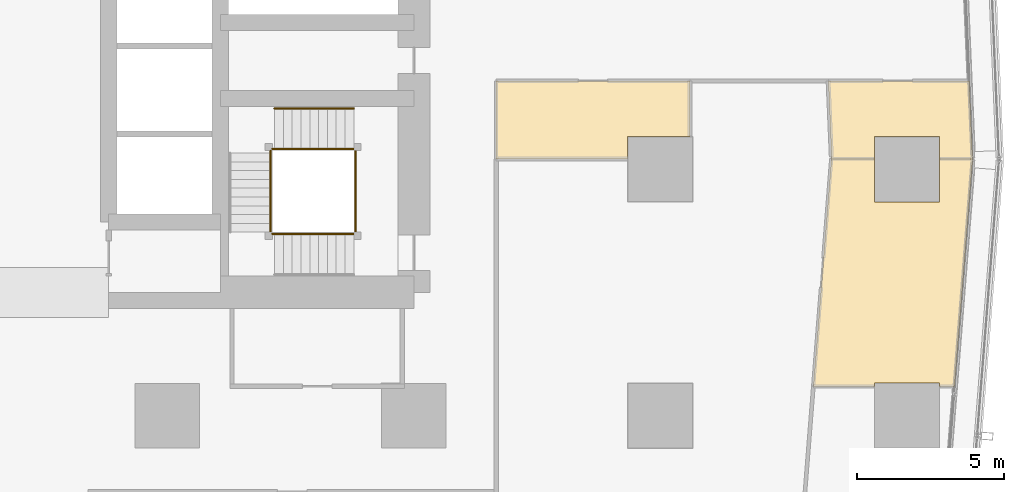
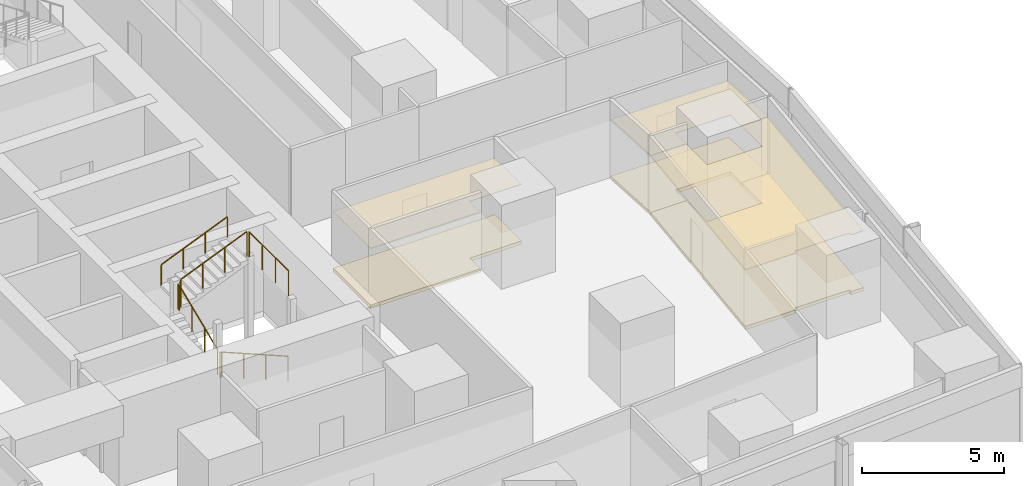
# One storey, part 37 of 42: 8 railings, 6 coverings.
"""IFC4 building model written with IfcOpenShell, lengths in metres."""

from ifc_helpers import new_model, si_unit, direction, frame, origin, origin_2d, place, context, subcontext, project, spatial, polyline, circle, outline, extrude, material, layer, layer_set, type_object, element, save


model = new_model("IFC4")

# Units and contexts
model_context = context("Model", 3, precision=1e-05, world=origin(), true_north=direction((0.0, 1.0)))
body_context = subcontext(model_context, "Body", "Model", "MODEL_VIEW")
ifc_project = project(units=[si_unit("LENGTHUNIT", "METRE"), si_unit("AREAUNIT", "SQUARE_METRE"), si_unit("VOLUMEUNIT", "CUBIC_METRE"), si_unit("PLANEANGLEUNIT", "RADIAN"), si_unit("MASSUNIT", "GRAM", prefix="KILO")], contexts=[model_context])

# Site, building, storey
site_placement = place(None, origin())
site = spatial("IfcSite", under=ifc_project, at=site_placement, CompositionType="ELEMENT")
building_placement = place(site_placement, origin())
building = spatial("IfcBuilding", under=site, at=building_placement, Name="Rekha Terrace Tower", CompositionType="ELEMENT")
storey_placement = place(building_placement, frame((0.0, 0.0, 55.39990234375)))
storey = spatial("IfcBuildingStorey", under=building, at=storey_placement, Name="L13", CompositionType="ELEMENT", Elevation=55.39990234375)

# Coverings
ifc_material_1 = material(Name="Mineral fibre tile in exposed grid", Category="finish")
ifc_layer_1 = layer(ifc_material_1, 0.02001953125)
ifc_layer_set_1 = layer_set([ifc_layer_1], Name="Mineral fibre tile in exposed grid")
covering_type_1 = type_object("IfcCoveringType", Name="CL1 600x1200 office grid ceiling", PredefinedType="CEILING", material=ifc_layer_set_1)
covering_1_placement = place(storey_placement, frame((0.0, 0.0, 2.580078125)))
element("IfcCovering", 1, at=covering_1_placement, inside=storey, type_object=covering_type_1, Name="Ceiling L13-04", PredefinedType="CEILING", context=body_context, shape_type="SweptSolid", body=[
    extrude(outline(polyline([(68.31494140625, 17.9150390625), (68.31494140625, 17.799072265625), (68.824951171875, 17.799072265625), (69.44091796875, 25.551025390625), (68.31494140625, 25.551025390625), (68.31494140625, 24.0849609375), (66.0849609375, 24.0849609375), (66.0849609375, 25.551025390625), (64.625, 25.551025390625), (64.010009765625, 17.799072265625), (66.0849609375, 17.799072265625), (66.0849609375, 17.9150390625), (68.31494140625, 17.9150390625)])), origin(), (0.0, 0.0, 1.0), 0.02001953125),
])
covering_2_placement = place(storey_placement, frame((0.0, 0.0, 2.580078125)))
element("IfcCovering", 2, at=covering_2_placement, inside=storey, type_object=covering_type_1, Name="Ceiling L13-05", PredefinedType="CEILING", context=body_context, shape_type="SweptSolid", body=[
    extrude(outline(polyline([(69.43701171875, 25.552001953125), (69.322998046875, 28.199951171875), (64.51904296875, 28.199951171875), (64.632080078125, 25.552001953125), (66.0849609375, 25.552001953125), (66.0849609375, 26.31494140625), (68.31494140625, 26.31494140625), (68.31494140625, 25.552001953125), (69.43701171875, 25.552001953125)])), origin(), (0.0, 0.0, 1.0), 0.02001953125),
])
covering_3_placement = place(storey_placement, frame((0.0, 0.0, 2.580078125)))
element("IfcCovering", 3, at=covering_3_placement, inside=storey, type_object=covering_type_1, Name="Ceiling L13-06", PredefinedType="CEILING", context=body_context, shape_type="SweptSolid", body=[
    extrude(outline(polyline([(59.800048828125, 26.31494140625), (59.800048828125, 28.199951171875), (53.199951171875, 28.199951171875), (53.199951171875, 25.552001953125), (57.68505859375, 25.552001953125), (57.68505859375, 26.31494140625), (59.800048828125, 26.31494140625)])), origin(), (0.0, 0.0, 1.0), 0.02001953125),
])

# Railings
ifc_material_2 = material(Name="Stainless steel balustrade", Category="steel")
railing_type_1 = type_object("IfcRailingType", Name="GR1 1100 stair guard", PredefinedType="GUARDRAIL", material=ifc_material_2)
railing_1_placement = place(storey_placement, frame((48.35009765625, 22.989990234375, 0.125)))
element("IfcRailing", 4, at=railing_1_placement, inside=storey, type_object=railing_type_1, Name="Guard ST3 L13 flight 1", PredefinedType="GUARDRAIL", context=body_context, shape_type="SweptSolid", body=[
    extrude(circle(Radius=0.02392578125, at=origin_2d()), frame((0.0, 0.0, 1.076171875), z_axis=(-0.923086799901, 0.0, 0.38459167938), x_axis=(0.0, -1.0, 0.0)), (0.0, 0.0, 1.0), 2.92529296875),
    extrude(circle(Radius=0.02099609375, at=origin_2d()), origin(), (0.0, 0.0, 1.0), 1.052001953125),
    extrude(circle(Radius=0.02099609375, at=origin_2d()), frame((-0.900146484375, 0.0, 0.375)), (0.0, 0.0, 1.0), 1.052001953125),
    extrude(circle(Radius=0.02099609375, at=origin_2d()), frame((-1.800048828125, 0.0, 0.75)), (0.0, 0.0, 1.0), 1.052001953125),
    extrude(circle(Radius=0.02099609375, at=origin_2d()), frame((-2.7001953125, 0.0, 1.125)), (0.0, 0.0, 1.0), 1.052001953125),
])
railing_2_placement = place(storey_placement, frame((45.514892578125, 23.050048828125, 1.375)))
element("IfcRailing", 5, at=railing_2_placement, inside=storey, type_object=railing_type_1, Name="Guard ST3 L13 flight 2", PredefinedType="GUARDRAIL", context=body_context, shape_type="SweptSolid", body=[
    extrude(circle(Radius=0.02392578125, at=origin_2d()), frame((0.0, 0.0, 1.076171875), z_axis=(0.0, 0.923074453586, 0.384621311341), x_axis=(-1.0, 0.0, 0.0)), (0.0, 0.0, 1.0), 2.925048828125),
    extrude(circle(Radius=0.02099609375, at=origin_2d()), origin(), (0.0, 0.0, 1.0), 1.052001953125),
    extrude(circle(Radius=0.02099609375, at=origin_2d()), frame((0.0, 0.89990234375, 0.375)), (0.0, 0.0, 1.0), 1.052001953125),
    extrude(circle(Radius=0.02099609375, at=origin_2d()), frame((0.0, 1.800048828125, 0.75)), (0.0, 0.0, 1.0), 1.052001953125),
    extrude(circle(Radius=0.02099609375, at=origin_2d()), frame((0.0, 2.699951171875, 1.125)), (0.0, 0.0, 1.0), 1.052001953125),
])
railing_3_placement = place(storey_placement, frame((45.64990234375, 25.885009765625, 2.625)))
element("IfcRailing", 6, at=railing_3_placement, inside=storey, type_object=railing_type_1, Name="Guard ST3 L13 flight 3", PredefinedType="GUARDRAIL", context=body_context, shape_type="SweptSolid", body=[
    extrude(circle(Radius=0.02392578125, at=origin_2d()), frame((0.0, 0.0, 1.076171875), z_axis=(0.923086799901, 0.0, 0.38459167938), x_axis=(0.0, 1.0, 0.0)), (0.0, 0.0, 1.0), 2.92529296875),
    extrude(circle(Radius=0.02099609375, at=origin_2d()), origin(), (0.0, 0.0, 1.0), 1.052001953125),
    extrude(circle(Radius=0.02099609375, at=origin_2d()), frame((0.900146484375, 0.0, 0.375)), (0.0, 0.0, 1.0), 1.052001953125),
    extrude(circle(Radius=0.02099609375, at=origin_2d()), frame((1.800048828125, 0.0, 0.75)), (0.0, 0.0, 1.0), 1.052001953125),
    extrude(circle(Radius=0.02099609375, at=origin_2d()), frame((2.7001953125, 0.0, 1.125)), (0.0, 0.0, 1.0), 1.052001953125),
])
railing_4_placement = place(storey_placement, frame((45.64990234375, 22.989990234375, 1.25)))
element("IfcRailing", 7, at=railing_4_placement, inside=storey, type_object=railing_type_1, Name="Guard ST3 L13 landing 1", PredefinedType="GUARDRAIL", context=body_context, shape_type="SweptSolid", body=[
    extrude(circle(Radius=0.02392578125, at=origin_2d()), frame((0.0, 0.0, 1.076171875), z_axis=(-1.0, 0.0, 0.0), x_axis=(0.0, -1.0, 0.0)), (0.0, 0.0, 1.0), 0.074951171875),
    extrude(circle(Radius=0.02099609375, at=origin_2d()), origin(), (0.0, 0.0, 1.0), 1.052001953125),
    extrude(circle(Radius=0.02099609375, at=origin_2d()), frame((-0.074951171875, 0.0, 0.0)), (0.0, 0.0, 1.0), 1.052001953125),
])
railing_5_placement = place(storey_placement, frame((45.514892578125, 25.75, 2.5)))
element("IfcRailing", 8, at=railing_5_placement, inside=storey, type_object=railing_type_1, Name="Guard ST3 L13 landing 2", PredefinedType="GUARDRAIL", context=body_context, shape_type="SweptSolid", body=[
    extrude(circle(Radius=0.02392578125, at=origin_2d()), frame((0.0, 0.0, 1.076171875), z_axis=(0.0, 1.0, 0.0), x_axis=(-1.0, 0.0, 0.0)), (0.0, 0.0, 1.0), 0.074951171875),
    extrude(circle(Radius=0.02099609375, at=origin_2d()), origin(), (0.0, 0.0, 1.0), 1.052001953125),
    extrude(circle(Radius=0.02099609375, at=origin_2d()), frame((0.0, 0.074951171875, 0.0)), (0.0, 0.0, 1.0), 1.052001953125),
])
railing_6_placement = place(storey_placement, frame((45.64990234375, 25.885009765625, 2.5)))
element("IfcRailing", 9, at=railing_6_placement, inside=storey, type_object=railing_type_1, Name="Guard ST3 L13 landing 3", PredefinedType="GUARDRAIL", context=body_context, shape_type="SweptSolid", body=[
    extrude(circle(Radius=0.02392578125, at=origin_2d()), frame((0.0, 0.0, 1.076171875), z_axis=(-1.0, 0.0, 0.0), x_axis=(0.0, -1.0, 0.0)), (0.0, 0.0, 1.0), 0.074951171875),
    extrude(circle(Radius=0.02099609375, at=origin_2d()), origin(), (0.0, 0.0, 1.0), 1.052001953125),
    extrude(circle(Radius=0.02099609375, at=origin_2d()), frame((-0.074951171875, 0.0, 0.0)), (0.0, 0.0, 1.0), 1.052001953125),
])
railing_7_placement = place(storey_placement, frame((48.409912109375, 23.050048828125, 3.75)))
element("IfcRailing", 10, at=railing_7_placement, inside=storey, type_object=railing_type_1, Name="Guard ST3 L13 landing 4", PredefinedType="GUARDRAIL", context=body_context, shape_type="SweptSolid", body=[
    extrude(circle(Radius=0.02392578125, at=origin_2d()), frame((0.0, 0.0, 1.076171875), z_axis=(0.0, 1.0, 0.0), x_axis=(-1.0, 0.0, 0.0)), (0.0, 0.0, 1.0), 2.77490234375),
    extrude(circle(Radius=0.02099609375, at=origin_2d()), origin(), (0.0, 0.0, 1.0), 1.052001953125),
    extrude(circle(Radius=0.02099609375, at=origin_2d()), frame((0.0, 0.925048828125, 0.0)), (0.0, 0.0, 1.0), 1.052001953125),
    extrude(circle(Radius=0.02099609375, at=origin_2d()), frame((0.0, 1.849853515625, 0.0)), (0.0, 0.0, 1.0), 1.052001953125),
    extrude(circle(Radius=0.02099609375, at=origin_2d()), frame((0.0, 2.77490234375, 0.0)), (0.0, 0.0, 1.0), 1.052001953125),
])
ifc_material_3 = material(Name="Stainless steel tube", Category="steel")
railing_type_2 = type_object("IfcRailingType", Name="HR1 900 stair handrail", PredefinedType="HANDRAIL", material=ifc_material_3)
railing_8_placement = place(storey_placement, frame((45.64990234375, 27.264892578125, 2.625)))
element("IfcRailing", 11, at=railing_8_placement, inside=storey, type_object=railing_type_2, Name="Handrail ST3 L13 flight 3", PredefinedType="HANDRAIL", context=body_context, shape_type="SweptSolid", body=[
    extrude(circle(Radius=0.02392578125, at=origin_2d()), frame((0.0, 0.0, 0.8759765625), z_axis=(0.923086799901, 0.0, 0.38459167938), x_axis=(0.0, 1.0, 0.0)), (0.0, 0.0, 1.0), 2.92529296875),
    extrude(circle(Radius=0.02099609375, at=origin_2d()), origin(), (0.0, 0.0, 1.0), 0.851806640625),
    extrude(circle(Radius=0.02099609375, at=origin_2d()), frame((0.900146484375, 0.0, 0.375)), (0.0, 0.0, 1.0), 0.851806640625),
    extrude(circle(Radius=0.02099609375, at=origin_2d()), frame((1.800048828125, 0.0, 0.75)), (0.0, 0.0, 1.0), 0.851806640625),
    extrude(circle(Radius=0.02099609375, at=origin_2d()), frame((2.7001953125, 0.0, 1.125)), (0.0, 0.0, 1.0), 0.851806640625),
])

# Coverings
ifc_material_4 = material(Name="Calcium sulphate panels on steel pedestals", Category="steel")
ifc_layer_2 = layer(ifc_material_4, 0.14990234375)
ifc_layer_set_2 = layer_set([ifc_layer_2], Name="Calcium sulphate panels on steel pedestals")
covering_type_2 = type_object("IfcCoveringType", Name="RF1 150 raised access floor", PredefinedType="FLOORING", material=ifc_layer_set_2)
covering_4_placement = place(storey_placement, origin())
element("IfcCovering", 12, at=covering_4_placement, inside=storey, type_object=covering_type_2, Name="Raised floor L13-04", PredefinedType="FLOORING", context=body_context, shape_type="SweptSolid", body=[
    extrude(outline(polyline([(68.31494140625, 17.9150390625), (68.31494140625, 17.799072265625), (68.824951171875, 17.799072265625), (69.44091796875, 25.551025390625), (68.31494140625, 25.551025390625), (68.31494140625, 24.0849609375), (66.0849609375, 24.0849609375), (66.0849609375, 25.551025390625), (64.625, 25.551025390625), (64.010009765625, 17.799072265625), (66.0849609375, 17.799072265625), (66.0849609375, 17.9150390625), (68.31494140625, 17.9150390625)])), origin(), (0.0, 0.0, 1.0), 0.150146484375),
])
covering_5_placement = place(storey_placement, origin())
element("IfcCovering", 13, at=covering_5_placement, inside=storey, type_object=covering_type_2, Name="Raised floor L13-05", PredefinedType="FLOORING", context=body_context, shape_type="SweptSolid", body=[
    extrude(outline(polyline([(69.43701171875, 25.552001953125), (69.322998046875, 28.199951171875), (64.51904296875, 28.199951171875), (64.632080078125, 25.552001953125), (66.0849609375, 25.552001953125), (66.0849609375, 26.31494140625), (68.31494140625, 26.31494140625), (68.31494140625, 25.552001953125), (69.43701171875, 25.552001953125)])), origin(), (0.0, 0.0, 1.0), 0.150146484375),
])
covering_6_placement = place(storey_placement, origin())
element("IfcCovering", 14, at=covering_6_placement, inside=storey, type_object=covering_type_2, Name="Raised floor L13-06", PredefinedType="FLOORING", context=body_context, shape_type="SweptSolid", body=[
    extrude(outline(polyline([(59.800048828125, 26.31494140625), (59.800048828125, 28.199951171875), (53.199951171875, 28.199951171875), (53.199951171875, 25.552001953125), (57.68505859375, 25.552001953125), (57.68505859375, 26.31494140625), (59.800048828125, 26.31494140625)])), origin(), (0.0, 0.0, 1.0), 0.150146484375),
])

save(model, "model.ifc")
